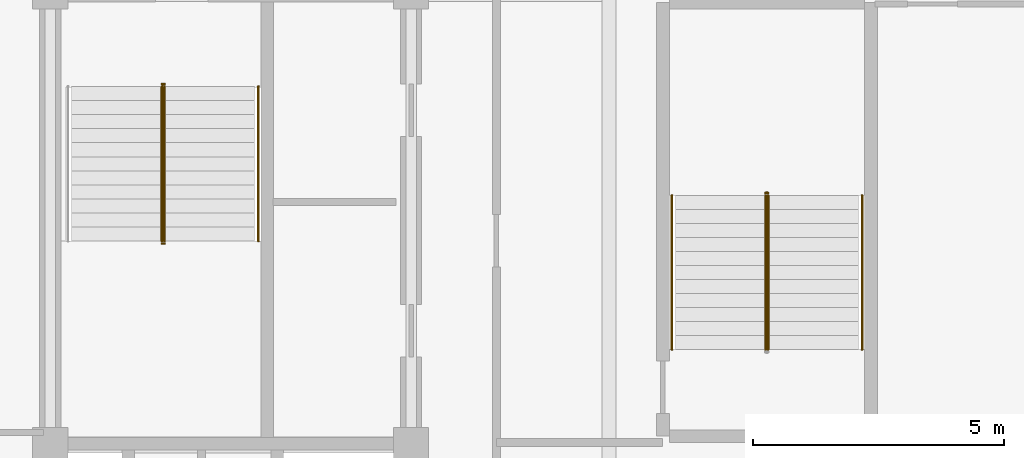
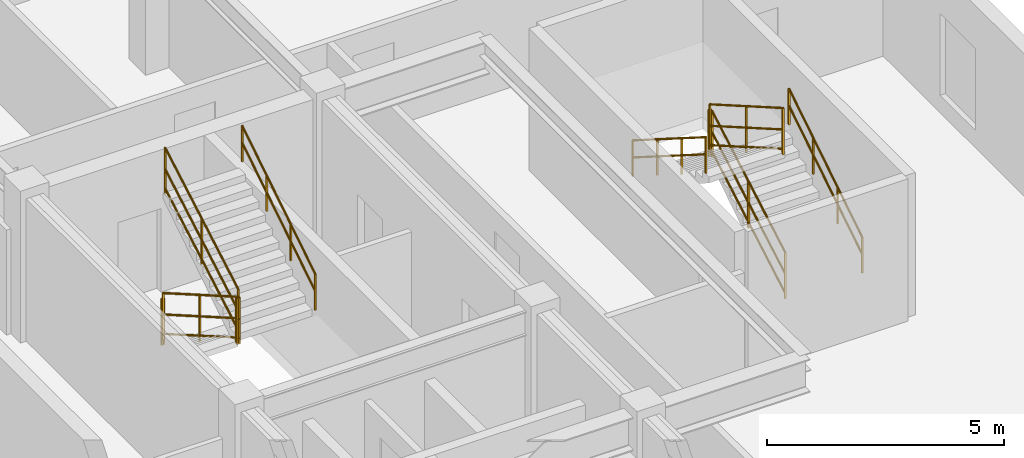
# One storey, part 7 of 7: 10 railings.
"""IFC4 building model written with IfcOpenShell, lengths in metres."""

from ifc_helpers import new_model, entity, si_unit, converted_unit, direction, frame, origin_with_axes, origin_2d_with_axis, place, context, subcontext, project, spatial, rectangle, circle, extrude, material, type_object, element, save


model = new_model("IFC4")

# Units and contexts
model_context = context("Model", 3, precision=1e-05, world=origin_with_axes(), true_north=direction((0.0, 1.0)))
body_context = subcontext(model_context, "Body", "Model", "MODEL_VIEW")
ifc_project = project(units=[si_unit("LENGTHUNIT", "METRE"), si_unit("AREAUNIT", "SQUARE_METRE"), si_unit("VOLUMEUNIT", "CUBIC_METRE"), converted_unit("PLANEANGLEUNIT", "DEGREE", entity("IfcPlaneAngleMeasure", 0.017453292519943295), si_unit("PLANEANGLEUNIT", "RADIAN"), dimensions=[0, 0, 0, 0, 0, 0, 0]), si_unit("MASSUNIT", "GRAM", prefix="KILO"), si_unit("THERMODYNAMICTEMPERATUREUNIT", "KELVIN")], contexts=[model_context])

# Site, building, storey
site_placement = place(None, origin_with_axes())
site = spatial("IfcSite", under=ifc_project, at=site_placement, CompositionType="ELEMENT")
building_placement = place(site_placement, origin_with_axes())
building = spatial("IfcBuilding", under=site, at=building_placement, Name="Varnlund Millrace Tower", CompositionType="ELEMENT")
storey_placement = place(building_placement, frame((0.0, 0.0, 288.0), z_axis=(0.0, 0.0, 1.0), x_axis=(1.0, 0.0, 0.0)))
storey = spatial("IfcBuildingStorey", under=building, at=storey_placement, Name="L71", CompositionType="ELEMENT", Elevation=288.0)

# Railings
ifc_material_1 = material(Name="Painted steel stair well balustrade guard", Category="steel")
railing_type_1 = type_object("IfcRailingType", Name="Type-StairGuard-1150", PredefinedType="GUARDRAIL", material=ifc_material_1)
railing_1_placement = place(storey_placement, frame((0.0, 0.0, -288.0), z_axis=(0.0, 0.0, 1.0), x_axis=(1.0, 0.0, 0.0)))
element("IfcRailing", 1, at=railing_1_placement, inside=storey, type_object=railing_type_1, Name="Type-StairGuard-1150", PredefinedType="GUARDRAIL", context=body_context, shape_type="SweptSolid", body=[
    extrude(circle(Radius=0.024, at=origin_2d_with_axis()), frame((13.625, 35.9, 289.327273), z_axis=(0.0, -0.866696, 0.498836), x_axis=(1.0, 0.0, 0.0)), (0.0, 0.0, 1.0), 3.553725),
    extrude(circle(Radius=0.024, at=origin_2d_with_axis()), frame((13.625, 35.9, 288.277273), z_axis=(0.0, -0.866696, 0.498836), x_axis=(1.0, 0.0, 0.0)), (0.0, 0.0, 1.0), 3.553725),
    extrude(circle(Radius=0.024, at=origin_2d_with_axis()), frame((13.625, 35.9, 288.775273), z_axis=(0.0, -0.866696, 0.498836), x_axis=(1.0, 0.0, 0.0)), (0.0, 0.0, 1.0), 3.553725),
    extrude(rectangle(XDim=0.04, YDim=0.04, at=origin_2d_with_axis()), frame((13.625, 35.9, 288.137273), z_axis=(0.0, 0.0, 1.0), x_axis=(1.0, 0.0, 0.0)), (0.0, 0.0, 1.0), 1.19),
    extrude(rectangle(XDim=0.04, YDim=0.04, at=origin_2d_with_axis()), frame((13.625, 34.36, 289.023636), z_axis=(0.0, 0.0, 1.0), x_axis=(1.0, 0.0, 0.0)), (0.0, 0.0, 1.0), 1.19),
    extrude(rectangle(XDim=0.04, YDim=0.04, at=origin_2d_with_axis()), frame((13.625, 32.82, 289.91), z_axis=(0.0, 0.0, 1.0), x_axis=(1.0, 0.0, 0.0)), (0.0, 0.0, 1.0), 1.19),
])
railing_2_placement = place(storey_placement, frame((0.0, 0.0, -288.0), z_axis=(0.0, 0.0, 1.0), x_axis=(1.0, 0.0, 0.0)))
element("IfcRailing", 2, at=railing_2_placement, inside=storey, type_object=railing_type_1, Name="Type-StairGuard-1150", PredefinedType="GUARDRAIL", context=body_context, shape_type="SweptSolid", body=[
    extrude(circle(Radius=0.024, at=origin_2d_with_axis()), frame((13.675, 32.77, 291.1), z_axis=(-1.0, 0.0, 0.0), x_axis=(0.0, -1.0, 0.0)), (0.0, 0.0, 1.0), 0.05),
    extrude(circle(Radius=0.024, at=origin_2d_with_axis()), frame((13.675, 32.77, 290.05), z_axis=(-1.0, 0.0, 0.0), x_axis=(0.0, -1.0, 0.0)), (0.0, 0.0, 1.0), 0.05),
    extrude(circle(Radius=0.024, at=origin_2d_with_axis()), frame((13.675, 32.77, 290.548), z_axis=(-1.0, 0.0, 0.0), x_axis=(0.0, -1.0, 0.0)), (0.0, 0.0, 1.0), 0.05),
    extrude(rectangle(XDim=0.04, YDim=0.04, at=origin_2d_with_axis()), frame((13.675, 32.77, 289.91), z_axis=(0.0, 0.0, 1.0), x_axis=(1.0, 0.0, 0.0)), (0.0, 0.0, 1.0), 1.19),
    extrude(rectangle(XDim=0.04, YDim=0.04, at=origin_2d_with_axis()), frame((13.625, 32.77, 289.91), z_axis=(0.0, 0.0, 1.0), x_axis=(1.0, 0.0, 0.0)), (0.0, 0.0, 1.0), 1.19),
])
railing_3_placement = place(storey_placement, frame((0.0, 0.0, -288.0), z_axis=(0.0, 0.0, 1.0), x_axis=(1.0, 0.0, 0.0)))
element("IfcRailing", 3, at=railing_3_placement, inside=storey, type_object=railing_type_1, Name="Type-StairGuard-1150", PredefinedType="GUARDRAIL", context=body_context, shape_type="SweptSolid", body=[
    extrude(circle(Radius=0.024, at=origin_2d_with_axis()), frame((13.675, 32.82, 291.277273), z_axis=(0.0, 0.866696, 0.498836), x_axis=(-1.0, 0.0, 0.0)), (0.0, 0.0, 1.0), 3.553725),
    extrude(circle(Radius=0.024, at=origin_2d_with_axis()), frame((13.675, 32.82, 290.227273), z_axis=(0.0, 0.866696, 0.498836), x_axis=(-1.0, 0.0, 0.0)), (0.0, 0.0, 1.0), 3.553725),
    extrude(circle(Radius=0.024, at=origin_2d_with_axis()), frame((13.675, 32.82, 290.725273), z_axis=(0.0, 0.866696, 0.498836), x_axis=(-1.0, 0.0, 0.0)), (0.0, 0.0, 1.0), 3.553725),
    extrude(rectangle(XDim=0.04, YDim=0.04, at=origin_2d_with_axis()), frame((13.675, 32.82, 290.087273), z_axis=(0.0, 0.0, 1.0), x_axis=(1.0, 0.0, 0.0)), (0.0, 0.0, 1.0), 1.19),
    extrude(rectangle(XDim=0.04, YDim=0.04, at=origin_2d_with_axis()), frame((13.675, 34.36, 290.973636), z_axis=(0.0, 0.0, 1.0), x_axis=(1.0, 0.0, 0.0)), (0.0, 0.0, 1.0), 1.19),
    extrude(rectangle(XDim=0.04, YDim=0.04, at=origin_2d_with_axis()), frame((13.675, 35.9, 291.86), z_axis=(0.0, 0.0, 1.0), x_axis=(1.0, 0.0, 0.0)), (0.0, 0.0, 1.0), 1.19),
])
railing_4_placement = place(storey_placement, frame((0.0, 0.0, -288.0), z_axis=(0.0, 0.0, 1.0), x_axis=(1.0, 0.0, 0.0)))
element("IfcRailing", 4, at=railing_4_placement, inside=storey, type_object=railing_type_1, Name="Type-StairGuard-1150", PredefinedType="GUARDRAIL", context=body_context, shape_type="SweptSolid", body=[
    extrude(circle(Radius=0.024, at=origin_2d_with_axis()), frame((13.675, 35.95, 289.15), z_axis=(-1.0, 0.0, 0.0), x_axis=(0.0, -1.0, 0.0)), (0.0, 0.0, 1.0), 0.05),
    extrude(circle(Radius=0.024, at=origin_2d_with_axis()), frame((13.675, 35.95, 288.1), z_axis=(-1.0, 0.0, 0.0), x_axis=(0.0, -1.0, 0.0)), (0.0, 0.0, 1.0), 0.05),
    extrude(circle(Radius=0.024, at=origin_2d_with_axis()), frame((13.675, 35.95, 288.598), z_axis=(-1.0, 0.0, 0.0), x_axis=(0.0, -1.0, 0.0)), (0.0, 0.0, 1.0), 0.05),
    extrude(rectangle(XDim=0.04, YDim=0.04, at=origin_2d_with_axis()), frame((13.675, 35.95, 287.96), z_axis=(0.0, 0.0, 1.0), x_axis=(1.0, 0.0, 0.0)), (0.0, 0.0, 1.0), 1.19),
    extrude(rectangle(XDim=0.04, YDim=0.04, at=origin_2d_with_axis()), frame((13.625, 35.95, 287.96), z_axis=(0.0, 0.0, 1.0), x_axis=(1.0, 0.0, 0.0)), (0.0, 0.0, 1.0), 1.19),
])
railing_5_placement = place(storey_placement, frame((0.0, 0.0, -288.0), z_axis=(0.0, 0.0, 1.0), x_axis=(1.0, 0.0, 0.0)))
element("IfcRailing", 5, at=railing_5_placement, inside=storey, type_object=railing_type_1, Name="Type-StairGuard-1150", PredefinedType="GUARDRAIL", context=body_context, shape_type="SweptSolid", body=[
    extrude(circle(Radius=0.024, at=origin_2d_with_axis()), frame((25.725, 30.65, 289.327273), z_axis=(0.0, 0.866696, 0.498836), x_axis=(-1.0, 0.0, 0.0)), (0.0, 0.0, 1.0), 3.553725),
    extrude(circle(Radius=0.024, at=origin_2d_with_axis()), frame((25.725, 30.65, 288.277273), z_axis=(0.0, 0.866696, 0.498836), x_axis=(-1.0, 0.0, 0.0)), (0.0, 0.0, 1.0), 3.553725),
    extrude(circle(Radius=0.024, at=origin_2d_with_axis()), frame((25.725, 30.65, 288.775273), z_axis=(0.0, 0.866696, 0.498836), x_axis=(-1.0, 0.0, 0.0)), (0.0, 0.0, 1.0), 3.553725),
    extrude(rectangle(XDim=0.04, YDim=0.04, at=origin_2d_with_axis()), frame((25.725, 30.65, 288.137273), z_axis=(0.0, 0.0, 1.0), x_axis=(1.0, 0.0, 0.0)), (0.0, 0.0, 1.0), 1.19),
    extrude(rectangle(XDim=0.04, YDim=0.04, at=origin_2d_with_axis()), frame((25.725, 32.19, 289.023636), z_axis=(0.0, 0.0, 1.0), x_axis=(1.0, 0.0, 0.0)), (0.0, 0.0, 1.0), 1.19),
    extrude(rectangle(XDim=0.04, YDim=0.04, at=origin_2d_with_axis()), frame((25.725, 33.73, 289.91), z_axis=(0.0, 0.0, 1.0), x_axis=(1.0, 0.0, 0.0)), (0.0, 0.0, 1.0), 1.19),
])
railing_6_placement = place(storey_placement, frame((0.0, 0.0, -288.0), z_axis=(0.0, 0.0, 1.0), x_axis=(1.0, 0.0, 0.0)))
element("IfcRailing", 6, at=railing_6_placement, inside=storey, type_object=railing_type_1, Name="Type-StairGuard-1150", PredefinedType="GUARDRAIL", context=body_context, shape_type="SweptSolid", body=[
    extrude(circle(Radius=0.024, at=origin_2d_with_axis()), frame((25.675, 33.78, 291.1), z_axis=(1.0, 0.0, 0.0), x_axis=(0.0, 1.0, 0.0)), (0.0, 0.0, 1.0), 0.05),
    extrude(circle(Radius=0.024, at=origin_2d_with_axis()), frame((25.675, 33.78, 290.05), z_axis=(1.0, 0.0, 0.0), x_axis=(0.0, 1.0, 0.0)), (0.0, 0.0, 1.0), 0.05),
    extrude(circle(Radius=0.024, at=origin_2d_with_axis()), frame((25.675, 33.78, 290.548), z_axis=(1.0, 0.0, 0.0), x_axis=(0.0, 1.0, 0.0)), (0.0, 0.0, 1.0), 0.05),
    extrude(rectangle(XDim=0.04, YDim=0.04, at=origin_2d_with_axis()), frame((25.675, 33.78, 289.91), z_axis=(0.0, 0.0, 1.0), x_axis=(1.0, 0.0, 0.0)), (0.0, 0.0, 1.0), 1.19),
    extrude(rectangle(XDim=0.04, YDim=0.04, at=origin_2d_with_axis()), frame((25.725, 33.78, 289.91), z_axis=(0.0, 0.0, 1.0), x_axis=(1.0, 0.0, 0.0)), (0.0, 0.0, 1.0), 1.19),
])
railing_7_placement = place(storey_placement, frame((0.0, 0.0, -288.0), z_axis=(0.0, 0.0, 1.0), x_axis=(1.0, 0.0, 0.0)))
element("IfcRailing", 7, at=railing_7_placement, inside=storey, type_object=railing_type_1, Name="Type-StairGuard-1150", PredefinedType="GUARDRAIL", context=body_context, shape_type="SweptSolid", body=[
    extrude(circle(Radius=0.024, at=origin_2d_with_axis()), frame((25.675, 33.73, 291.277273), z_axis=(0.0, -0.866696, 0.498836), x_axis=(1.0, 0.0, 0.0)), (0.0, 0.0, 1.0), 3.553725),
    extrude(circle(Radius=0.024, at=origin_2d_with_axis()), frame((25.675, 33.73, 290.227273), z_axis=(0.0, -0.866696, 0.498836), x_axis=(1.0, 0.0, 0.0)), (0.0, 0.0, 1.0), 3.553725),
    extrude(circle(Radius=0.024, at=origin_2d_with_axis()), frame((25.675, 33.73, 290.725273), z_axis=(0.0, -0.866696, 0.498836), x_axis=(1.0, 0.0, 0.0)), (0.0, 0.0, 1.0), 3.553725),
    extrude(rectangle(XDim=0.04, YDim=0.04, at=origin_2d_with_axis()), frame((25.675, 33.73, 290.087273), z_axis=(0.0, 0.0, 1.0), x_axis=(1.0, 0.0, 0.0)), (0.0, 0.0, 1.0), 1.19),
    extrude(rectangle(XDim=0.04, YDim=0.04, at=origin_2d_with_axis()), frame((25.675, 32.19, 290.973636), z_axis=(0.0, 0.0, 1.0), x_axis=(1.0, 0.0, 0.0)), (0.0, 0.0, 1.0), 1.19),
    extrude(rectangle(XDim=0.04, YDim=0.04, at=origin_2d_with_axis()), frame((25.675, 30.65, 291.86), z_axis=(0.0, 0.0, 1.0), x_axis=(1.0, 0.0, 0.0)), (0.0, 0.0, 1.0), 1.19),
])
ifc_material_2 = material(Name="Brushed architectural bronze stair handrail", Category="aluminium")
railing_type_2 = type_object("IfcRailingType", Name="Type-StairHandrail-900", PredefinedType="HANDRAIL", material=ifc_material_2)
railing_8_placement = place(storey_placement, frame((0.0, 0.0, -288.0), z_axis=(0.0, 0.0, 1.0), x_axis=(1.0, 0.0, 0.0)))
element("IfcRailing", 8, at=railing_8_placement, inside=storey, type_object=railing_type_2, Name="Type-StairHandrail-900", PredefinedType="HANDRAIL", context=body_context, shape_type="SweptSolid", body=[
    extrude(circle(Radius=0.024, at=origin_2d_with_axis()), frame((15.55, 32.82, 291.006995), z_axis=(0.0, 0.844902, 0.534922), x_axis=(-1.0, 0.0, 0.0)), (0.0, 0.0, 1.0), 3.645394),
    extrude(circle(Radius=0.024, at=origin_2d_with_axis()), frame((15.55, 32.82, 290.567134), z_axis=(0.0, 0.844902, 0.534922), x_axis=(-1.0, 0.0, 0.0)), (0.0, 0.0, 1.0), 3.645394),
    extrude(rectangle(XDim=0.04, YDim=0.04, at=origin_2d_with_axis()), frame((15.55, 32.82, 290.087273), z_axis=(0.0, 0.0, 1.0), x_axis=(1.0, 0.0, 0.0)), (0.0, 0.0, 1.0), 0.919722),
    extrude(rectangle(XDim=0.04, YDim=0.04, at=origin_2d_with_axis()), frame((15.55, 33.846667, 290.737273), z_axis=(0.0, 0.0, 1.0), x_axis=(1.0, 0.0, 0.0)), (0.0, 0.0, 1.0), 0.919722),
    extrude(rectangle(XDim=0.04, YDim=0.04, at=origin_2d_with_axis()), frame((15.55, 34.873333, 291.387273), z_axis=(0.0, 0.0, 1.0), x_axis=(1.0, 0.0, 0.0)), (0.0, 0.0, 1.0), 0.919722),
    extrude(rectangle(XDim=0.04, YDim=0.04, at=origin_2d_with_axis()), frame((15.55, 35.9, 292.037273), z_axis=(0.0, 0.0, 1.0), x_axis=(1.0, 0.0, 0.0)), (0.0, 0.0, 1.0), 0.919722),
])
railing_9_placement = place(storey_placement, frame((0.0, 0.0, -288.0), z_axis=(0.0, 0.0, 1.0), x_axis=(1.0, 0.0, 0.0)))
element("IfcRailing", 9, at=railing_9_placement, inside=storey, type_object=railing_type_2, Name="Type-StairHandrail-900", PredefinedType="HANDRAIL", context=body_context, shape_type="SweptSolid", body=[
    extrude(circle(Radius=0.024, at=origin_2d_with_axis()), frame((27.6, 30.65, 289.056995), z_axis=(0.0, 0.844902, 0.534922), x_axis=(-1.0, 0.0, 0.0)), (0.0, 0.0, 1.0), 3.645394),
    extrude(circle(Radius=0.024, at=origin_2d_with_axis()), frame((27.6, 30.65, 288.617134), z_axis=(0.0, 0.844902, 0.534922), x_axis=(-1.0, 0.0, 0.0)), (0.0, 0.0, 1.0), 3.645394),
    extrude(rectangle(XDim=0.04, YDim=0.04, at=origin_2d_with_axis()), frame((27.6, 30.65, 288.137273), z_axis=(0.0, 0.0, 1.0), x_axis=(1.0, 0.0, 0.0)), (0.0, 0.0, 1.0), 0.919722),
    extrude(rectangle(XDim=0.04, YDim=0.04, at=origin_2d_with_axis()), frame((27.6, 31.676667, 288.787273), z_axis=(0.0, 0.0, 1.0), x_axis=(1.0, 0.0, 0.0)), (0.0, 0.0, 1.0), 0.919722),
    extrude(rectangle(XDim=0.04, YDim=0.04, at=origin_2d_with_axis()), frame((27.6, 32.703333, 289.437273), z_axis=(0.0, 0.0, 1.0), x_axis=(1.0, 0.0, 0.0)), (0.0, 0.0, 1.0), 0.919722),
    extrude(rectangle(XDim=0.04, YDim=0.04, at=origin_2d_with_axis()), frame((27.6, 33.73, 290.087273), z_axis=(0.0, 0.0, 1.0), x_axis=(1.0, 0.0, 0.0)), (0.0, 0.0, 1.0), 0.919722),
])
railing_10_placement = place(storey_placement, frame((0.0, 0.0, -288.0), z_axis=(0.0, 0.0, 1.0), x_axis=(1.0, 0.0, 0.0)))
element("IfcRailing", 10, at=railing_10_placement, inside=storey, type_object=railing_type_2, Name="Type-StairHandrail-900", PredefinedType="HANDRAIL", context=body_context, shape_type="SweptSolid", body=[
    extrude(circle(Radius=0.024, at=origin_2d_with_axis()), frame((23.8, 33.73, 291.006995), z_axis=(0.0, -0.844902, 0.534922), x_axis=(1.0, 0.0, 0.0)), (0.0, 0.0, 1.0), 3.645394),
    extrude(circle(Radius=0.024, at=origin_2d_with_axis()), frame((23.8, 33.73, 290.567134), z_axis=(0.0, -0.844902, 0.534922), x_axis=(1.0, 0.0, 0.0)), (0.0, 0.0, 1.0), 3.645394),
    extrude(rectangle(XDim=0.04, YDim=0.04, at=origin_2d_with_axis()), frame((23.8, 33.73, 290.087273), z_axis=(0.0, 0.0, 1.0), x_axis=(1.0, 0.0, 0.0)), (0.0, 0.0, 1.0), 0.919722),
    extrude(rectangle(XDim=0.04, YDim=0.04, at=origin_2d_with_axis()), frame((23.8, 32.703333, 290.737273), z_axis=(0.0, 0.0, 1.0), x_axis=(1.0, 0.0, 0.0)), (0.0, 0.0, 1.0), 0.919722),
    extrude(rectangle(XDim=0.04, YDim=0.04, at=origin_2d_with_axis()), frame((23.8, 31.676667, 291.387273), z_axis=(0.0, 0.0, 1.0), x_axis=(1.0, 0.0, 0.0)), (0.0, 0.0, 1.0), 0.919722),
    extrude(rectangle(XDim=0.04, YDim=0.04, at=origin_2d_with_axis()), frame((23.8, 30.65, 292.037273), z_axis=(0.0, 0.0, 1.0), x_axis=(1.0, 0.0, 0.0)), (0.0, 0.0, 1.0), 0.919722),
])

save(model, "model.ifc")
